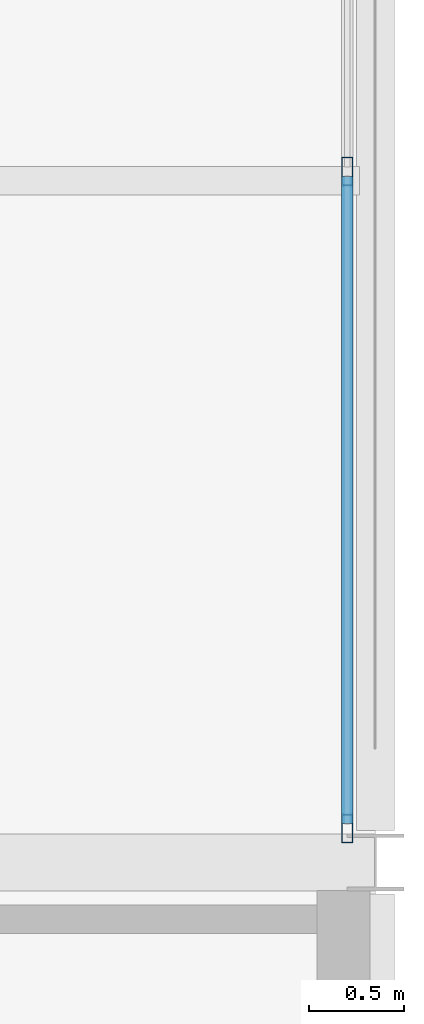
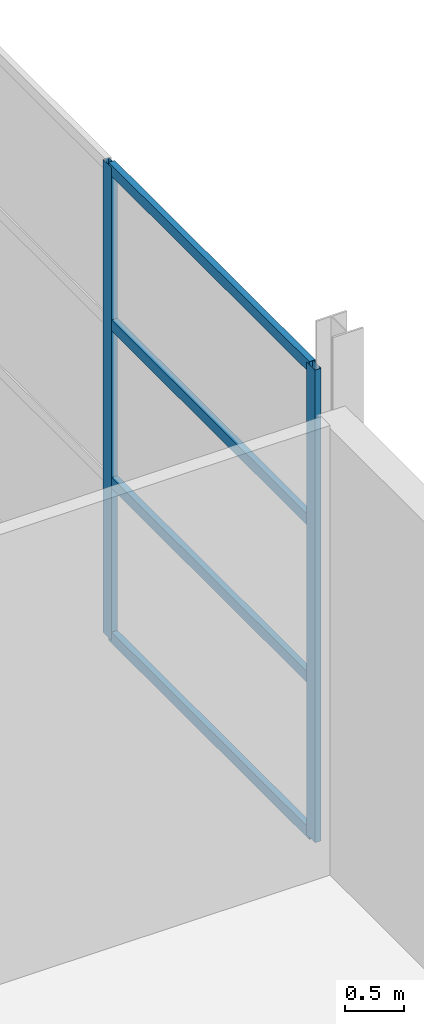
# One storey, part 12 of 34: 6 members, 1 element without a shape of its own.
"""IFC4 building model written with IfcOpenShell, lengths in metres."""

from ifc_helpers import new_model, si_unit, direction, frame, origin, origin_2d, place, context, subcontext, project, spatial, hollow_rectangle, extrude, material, layer, layer_set, material_profile, profile_set, type_object, element, aggregate, save


model = new_model("IFC4")

# Units and contexts
model_context = context("Model", 3, precision=1e-05, world=origin(), true_north=direction((0.0, 1.0)))
body_context = subcontext(model_context, "Body", "Model", "MODEL_VIEW")
ifc_project = project(units=[si_unit("LENGTHUNIT", "METRE"), si_unit("AREAUNIT", "SQUARE_METRE"), si_unit("VOLUMEUNIT", "CUBIC_METRE"), si_unit("PLANEANGLEUNIT", "RADIAN"), si_unit("MASSUNIT", "GRAM", prefix="KILO")], contexts=[model_context])

# Site, building, storey
site_placement = place(None, origin())
site = spatial("IfcSite", under=ifc_project, at=site_placement, CompositionType="ELEMENT")
building_placement = place(site_placement, origin())
building = spatial("IfcBuilding", under=site, at=building_placement, Name="Tamarisk Ironworks Central Station", CompositionType="ELEMENT")
storey_placement = place(building_placement, frame((0.0, 0.0, 25.199951171875)))
storey = spatial("IfcBuildingStorey", under=building, at=storey_placement, Name="L05", CompositionType="ELEMENT", Elevation=25.199951171875)

# Curtain wall, members
ifc_material = material(Name="Anodized aluminium alloy 6063-T6", Category="aluminium")
ifc_layer = layer(ifc_material, 0.179931640625)
ifc_layer_set = layer_set([ifc_layer], Name="Anodized aluminium alloy 6063-T6")
curtain_wall_type = type_object("IfcCurtainWallType", Name="CW-23", PredefinedType="USERDEFINED", material=ifc_layer_set)
curtain_wall_placement = place(storey_placement, origin())
curtain_wall = element("IfcCurtainWall", 1, at=curtain_wall_placement, inside=storey, type_object=curtain_wall_type, Name="Operations L05 east facade curtain wall 090", ObjectType="GLAZED CURTAIN WALL", PredefinedType="USERDEFINED")
ifc_material_profile_1 = material_profile(ifc_material, hollow_rectangle(XDim=0.06005859375, YDim=0.14990234375, WallThickness=0.00341796875, at=origin_2d()), Name="ALUM 150x60")
ifc_profile_set_1 = profile_set([ifc_material_profile_1], Name="Anodized aluminium alloy 6063-T6")
member_type_1 = type_object("IfcMemberType", Name="CWM-03", PredefinedType="MULLION", material=ifc_profile_set_1)
member_1_placement = place(storey_placement, frame((179.85009765625, 90.177978515625, 0.0), z_axis=(0.0, 0.0, 1.0), x_axis=(-1.0, 0.0, 0.0)))
member_1 = element("IfcMember", 2, at=member_1_placement, type_object=member_type_1, Name="CW23 mullion 1", PredefinedType="MULLION", context=body_context, shape_type="SweptSolid", body=[
    extrude(hollow_rectangle(XDim=0.06005859375, YDim=0.14990234375, WallThickness=0.00341796875, at=origin_2d()), origin(), (0.0, 0.0, 1.0), 4.920166015625),
])
member_2_placement = place(storey_placement, frame((179.85009765625, 93.6494140625, 0.0), z_axis=(0.0, 0.0, 1.0), x_axis=(-1.0, 0.0, 0.0)))
member_2 = element("IfcMember", 3, at=member_2_placement, type_object=member_type_1, Name="CW23 mullion 2", PredefinedType="MULLION", context=body_context, shape_type="SweptSolid", body=[
    extrude(hollow_rectangle(XDim=0.06005859375, YDim=0.14990234375, WallThickness=0.00341796875, at=origin_2d()), origin(), (0.0, 0.0, 1.0), 4.920166015625),
])
ifc_material_profile_2 = material_profile(ifc_material, hollow_rectangle(XDim=0.06005859375, YDim=0.114990234375, WallThickness=0.00341796875, at=origin_2d()), Name="ALUM 115x60")
ifc_profile_set_2 = profile_set([ifc_material_profile_2], Name="Anodized aluminium alloy 6063-T6")
member_type_2 = type_object("IfcMemberType", Name="CWT-03", PredefinedType="USERDEFINED", material=ifc_profile_set_2)
member_3_placement = place(storey_placement, frame((179.85009765625, 90.2041015625, 0.030029296875), z_axis=(0.0, 1.0, 0.0), x_axis=(-1.0, 0.0, 0.0)))
member_3 = element("IfcMember", 4, at=member_3_placement, type_object=member_type_2, Name="CW23 transom 1.1", ObjectType="TRANSOM", PredefinedType="USERDEFINED", context=body_context, shape_type="SweptSolid", body=[
    extrude(hollow_rectangle(XDim=0.06005859375, YDim=0.114990234375, WallThickness=0.00341796875, at=origin_2d()), origin(), (0.0, 0.0, 1.0), 3.419189453125),
])
member_4_placement = place(storey_placement, frame((179.85009765625, 90.2041015625, 1.64013671875), z_axis=(0.0, 1.0, 0.0), x_axis=(-1.0, 0.0, 0.0)))
member_4 = element("IfcMember", 5, at=member_4_placement, type_object=member_type_2, Name="CW23 transom 1.2", ObjectType="TRANSOM", PredefinedType="USERDEFINED", context=body_context, shape_type="SweptSolid", body=[
    extrude(hollow_rectangle(XDim=0.06005859375, YDim=0.114990234375, WallThickness=0.00341796875, at=origin_2d()), origin(), (0.0, 0.0, 1.0), 3.419189453125),
])
member_5_placement = place(storey_placement, frame((179.85009765625, 90.2041015625, 3.280029296875), z_axis=(0.0, 1.0, 0.0), x_axis=(-1.0, 0.0, 0.0)))
member_5 = element("IfcMember", 6, at=member_5_placement, type_object=member_type_2, Name="CW23 transom 1.3", ObjectType="TRANSOM", PredefinedType="USERDEFINED", context=body_context, shape_type="SweptSolid", body=[
    extrude(hollow_rectangle(XDim=0.06005859375, YDim=0.114990234375, WallThickness=0.00341796875, at=origin_2d()), origin(), (0.0, 0.0, 1.0), 3.419189453125),
])
member_6_placement = place(storey_placement, frame((179.85009765625, 90.2041015625, 4.89013671875), z_axis=(0.0, 1.0, 0.0), x_axis=(-1.0, 0.0, 0.0)))
member_6 = element("IfcMember", 7, at=member_6_placement, type_object=member_type_2, Name="CW23 transom 1.4", ObjectType="TRANSOM", PredefinedType="USERDEFINED", context=body_context, shape_type="SweptSolid", body=[
    extrude(hollow_rectangle(XDim=0.06005859375, YDim=0.114990234375, WallThickness=0.00341796875, at=origin_2d()), origin(), (0.0, 0.0, 1.0), 3.419189453125),
])
aggregate(curtain_wall, [member_1, member_2, member_3, member_4, member_5, member_6])

save(model, "model.ifc")
